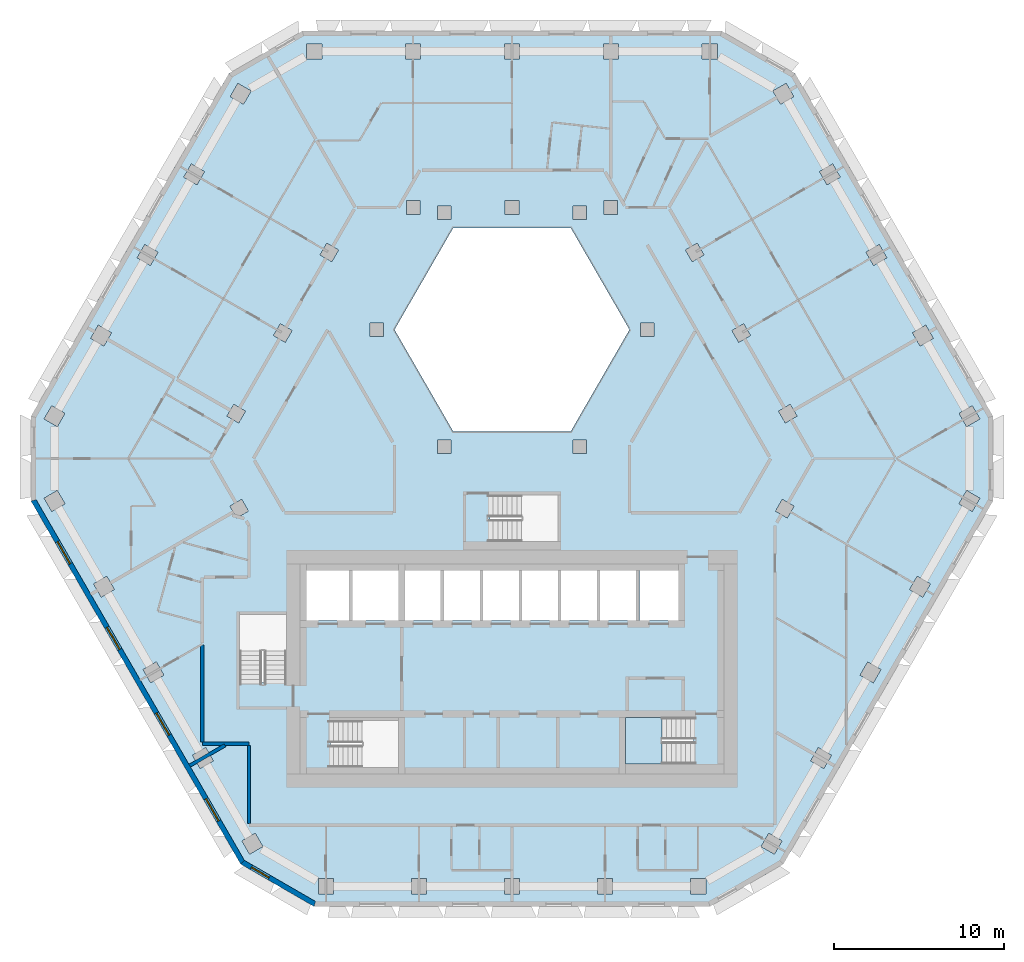
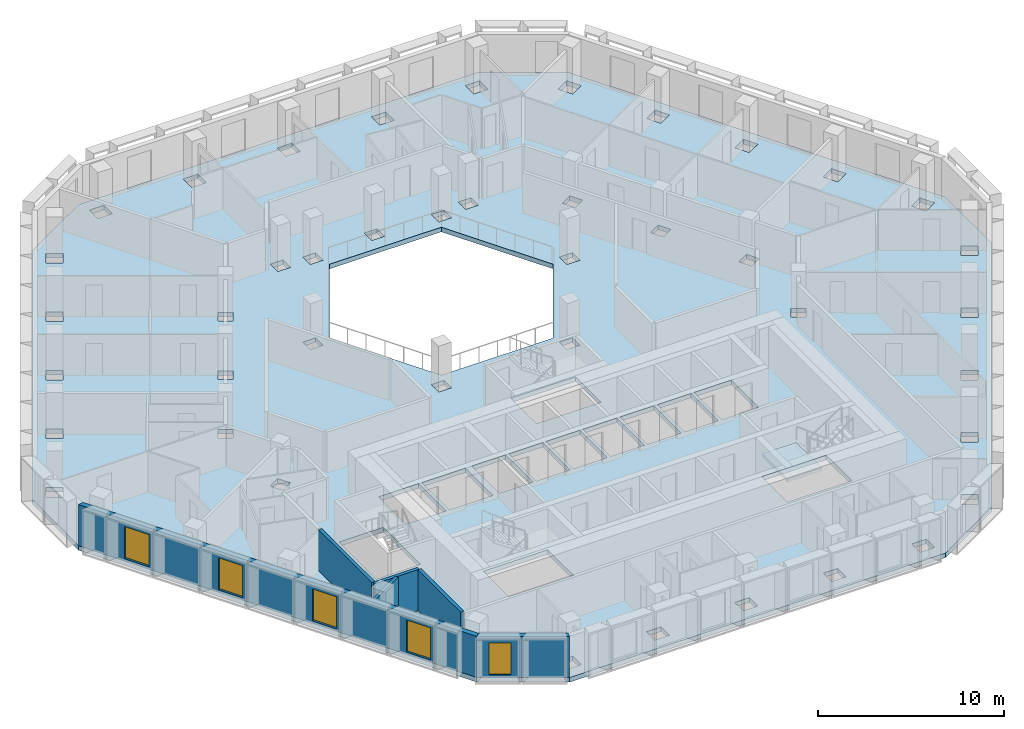
# One storey, part 2 of 15: 6 walls, 5 windows, 2 slabs, 5 openings, 1 element without a shape of its own.
"""IFC4 building model written with IfcOpenShell, lengths in metres."""

from ifc_helpers import new_model, si_unit, direction, frame, frame_2d, origin, place, context, subcontext, project, spatial, polyline, rectangle, outline, extrude, material, layer, layer_set, type_object, element, fill, aggregate, save


model = new_model("IFC4")

# Units and contexts
model_context = context("Model", 3, precision=1e-05, world=origin(), true_north=direction((0.0, 1.0)))
body_context = subcontext(model_context, "Body", "Model", "MODEL_VIEW")
ifc_project = project(units=[si_unit("LENGTHUNIT", "METRE"), si_unit("AREAUNIT", "SQUARE_METRE"), si_unit("VOLUMEUNIT", "CUBIC_METRE"), si_unit("PLANEANGLEUNIT", "RADIAN"), si_unit("MASSUNIT", "GRAM", prefix="KILO")], contexts=[model_context])

# Site, building, storey
site_placement = place(None, origin())
site = spatial("IfcSite", under=ifc_project, at=site_placement, CompositionType="ELEMENT")
building_placement = place(site_placement, origin())
building = spatial("IfcBuilding", under=site, at=building_placement, Name="Beryl Residences", CompositionType="ELEMENT")
storey_placement = place(building_placement, frame((0.0, 0.0, 129.60009765625)))
storey = spatial("IfcBuildingStorey", under=building, at=storey_placement, Name="L39", CompositionType="ELEMENT", Elevation=129.60009765625)

# Slab
ifc_material_1 = material(Name="Concrete C40/50", Category="concrete")
ifc_layer_1 = layer(ifc_material_1, 0.300048828125)
ifc_layer_set_1 = layer_set([ifc_layer_1], Name="SL7 PT floor slab 300 mm C40/50")
slab_type_1 = type_object("IfcSlabType", Name="SL7 PT floor slab 300 mm C40/50", PredefinedType="FLOOR", material=ifc_layer_set_1)
slab_1_placement = place(storey_placement, frame((0.0, 0.0, -0.300048828125)))
element("IfcSlab", 1, at=slab_1_placement, inside=storey, type_object=slab_type_1, Name="L39 slab 1", PredefinedType="FLOOR", context=body_context, shape_type="SweptSolid", body=[
    extrude(outline(polyline([(28.347900390625, -2.10009765625), (15.991943359375, -23.5), (11.662109375, -26.0), (-11.662109375, -26.0), (-15.991943359375, -23.5), (-28.347900390625, -2.10009765625), (-28.347900390625, 2.89990234375), (-16.68505859375, 23.10009765625), (-12.35498046875, 25.60009765625), (12.35498046875, 25.60009765625), (16.68505859375, 23.10009765625), (28.347900390625, 2.89990234375), (28.347900390625, -2.10009765625)]), holes=[polyline([(27.1279296875, 3.514892578125), (26.347900390625, 3.06494140625), (26.798095703125, 2.284912109375), (27.577880859375, 2.735107421875), (27.1279296875, 3.514892578125)]), polyline([(26.7958984375, -1.486083984375), (26.345947265625, -2.26611328125), (27.1259765625, -2.716064453125), (27.575927734375, -1.93603515625), (26.7958984375, -1.486083984375)]), polyline([(23.60498046875, 7.81494140625), (24.054931640625, 7.034912109375), (24.8349609375, 7.485107421875), (24.385009765625, 8.264892578125), (23.60498046875, 7.81494140625)]), polyline([(24.660888671875, -6.986083984375), (23.881103515625, -6.535888671875), (23.430908203125, -7.31591796875), (24.2109375, -7.76611328125), (24.660888671875, -6.986083984375)]), polyline([(21.64306640625, 13.014892578125), (20.863037109375, 12.56494140625), (21.31298828125, 11.784912109375), (22.093017578125, 12.235107421875), (21.64306640625, 13.014892578125)]), polyline([(20.965087890625, -11.5859375), (20.514892578125, -12.365966796875), (21.294921875, -12.81591796875), (21.7451171875, -12.035888671875), (20.965087890625, -11.5859375)]), polyline([(18.1201171875, 17.31494140625), (18.570068359375, 16.534912109375), (19.35009765625, 16.985107421875), (18.89990234375, 17.764892578125), (18.1201171875, 17.31494140625)]), polyline([(18.830078125, -17.0859375), (18.050048828125, -16.635986328125), (17.60009765625, -17.416015625), (18.3798828125, -17.865966796875), (18.830078125, -17.0859375)]), polyline([(16.39892578125, 3.595947265625), (15.70703125, 3.196044921875), (16.10693359375, 2.50390625), (16.799072265625, 2.904052734375), (16.39892578125, 3.595947265625)]), polyline([(16.6240234375, -2.405029296875), (15.931884765625, -2.0048828125), (15.531982421875, -2.697021484375), (16.22412109375, -3.096923828125), (16.6240234375, -2.405029296875)]), polyline([(16.157958984375, 22.514892578125), (15.3779296875, 22.06494140625), (15.827880859375, 21.284912109375), (16.60791015625, 21.735107421875), (16.157958984375, 22.514892578125)]), polyline([(15.9140625, -22.135009765625), (15.134033203125, -21.68505859375), (14.68408203125, -22.465087890625), (15.464111328125, -22.9150390625), (15.9140625, -22.135009765625)]), polyline([(13.656005859375, 8.345947265625), (12.964111328125, 7.946044921875), (13.364013671875, 7.25390625), (14.055908203125, 7.654052734375), (13.656005859375, 8.345947265625)]), polyline([(11.2119140625, 24.85009765625), (11.2119140625, 23.949951171875), (12.112060546875, 23.949951171875), (12.112060546875, 24.85009765625), (11.2119140625, 24.85009765625)]), polyline([(11.4208984375, -24.35009765625), (10.52099609375, -24.35009765625), (10.52099609375, -25.25), (11.4208984375, -25.25), (11.4208984375, -24.35009765625)]), polyline([(10.221923828125, 12.696044921875), (10.6220703125, 12.00390625), (11.31396484375, 12.404052734375), (10.9140625, 13.095947265625), (10.221923828125, 12.696044921875)]), polyline([(6.699951171875, -14.85009765625), (6.699951171875, -17.60009765625), (10.699951171875, -17.60009765625), (10.699951171875, -14.85009765625), (6.699951171875, -14.85009765625)]), polyline([(7.5, -9.14990234375), (9.800048828125, -9.14990234375), (9.800048828125, -6.199951171875), (7.5, -6.199951171875), (7.5, -9.14990234375)]), polyline([(8.366943359375, 7.60009765625), (8.366943359375, 8.39990234375), (7.56689453125, 8.39990234375), (7.56689453125, 7.60009765625), (8.366943359375, 7.60009765625)]), polyline([(7.300048828125, -9.14990234375), (7.300048828125, -6.199951171875), (5.199951171875, -6.199951171875), (5.199951171875, -9.14990234375), (7.300048828125, -9.14990234375)]), polyline([(3.464111328125, 14.0), (-3.464111328125, 14.0), (-6.92822265625, 8.0), (-3.464111328125, 2.0), (3.464111328125, 2.0), (6.92822265625, 8.0), (3.464111328125, 14.0)]), polyline([(5.381103515625, 24.85009765625), (5.381103515625, 23.949951171875), (6.281005859375, 23.949951171875), (6.281005859375, 24.85009765625), (5.381103515625, 24.85009765625)]), polyline([(5.430908203125, 15.60009765625), (5.430908203125, 14.800048828125), (6.23095703125, 14.800048828125), (6.23095703125, 15.60009765625), (5.430908203125, 15.60009765625)]), polyline([(5.93603515625, -25.25), (5.93603515625, -24.35009765625), (5.035888671875, -24.35009765625), (5.035888671875, -25.25), (5.93603515625, -25.25)]), polyline([(2.89990234375, -9.14990234375), (5.0, -9.14990234375), (5.0, -6.199951171875), (2.89990234375, -6.199951171875), (2.89990234375, -9.14990234375)]), polyline([(4.384033203125, 14.5), (4.384033203125, 15.300048828125), (3.583984375, 15.300048828125), (3.583984375, 14.5), (4.384033203125, 14.5)]), polyline([(3.583984375, 1.5), (3.583984375, 0.699951171875), (4.384033203125, 0.699951171875), (4.384033203125, 1.5), (3.583984375, 1.5)]), polyline([(2.699951171875, -4.5), (2.699951171875, -1.75), (-1.300048828125, -1.75), (-1.300048828125, -4.5), (2.699951171875, -4.5)]), polyline([(0.60009765625, -9.14990234375), (2.699951171875, -9.14990234375), (2.699951171875, -6.199951171875), (0.60009765625, -6.199951171875), (0.60009765625, -9.14990234375)]), polyline([(0.450927734375, -24.35009765625), (-0.448974609375, -24.35009765625), (-0.448974609375, -25.25), (0.450927734375, -25.25), (0.450927734375, -24.35009765625)]), polyline([(-0.449951171875, 24.85009765625), (-0.449951171875, 23.949951171875), (0.449951171875, 23.949951171875), (0.449951171875, 24.85009765625), (-0.449951171875, 24.85009765625)]), polyline([(0.39990234375, -6.199951171875), (-1.699951171875, -6.199951171875), (-1.699951171875, -9.14990234375), (0.39990234375, -9.14990234375), (0.39990234375, -6.199951171875)]), polyline([(-0.39990234375, 15.60009765625), (-0.39990234375, 14.800048828125), (0.39990234375, 14.800048828125), (0.39990234375, 15.60009765625), (-0.39990234375, 15.60009765625)]), polyline([(-4.0, -9.14990234375), (-1.89990234375, -9.14990234375), (-1.89990234375, -6.199951171875), (-4.0, -6.199951171875), (-4.0, -9.14990234375)]), polyline([(-3.583984375, 14.5), (-3.583984375, 15.300048828125), (-4.384033203125, 15.300048828125), (-4.384033203125, 14.5), (-3.583984375, 14.5)]), polyline([(-3.583984375, 0.699951171875), (-3.583984375, 1.5), (-4.384033203125, 1.5), (-4.384033203125, 0.699951171875), (-3.583984375, 0.699951171875)]), polyline([(-6.300048828125, -9.14990234375), (-4.199951171875, -9.14990234375), (-4.199951171875, -6.199951171875), (-6.300048828125, -6.199951171875), (-6.300048828125, -9.14990234375)]), polyline([(-5.033935546875, -25.25), (-5.033935546875, -24.35009765625), (-5.93408203125, -24.35009765625), (-5.93408203125, -25.25), (-5.033935546875, -25.25)]), polyline([(-6.281005859375, 23.949951171875), (-5.381103515625, 23.949951171875), (-5.381103515625, 24.85009765625), (-6.281005859375, 24.85009765625), (-6.281005859375, 23.949951171875)]), polyline([(-6.23095703125, 14.800048828125), (-5.430908203125, 14.800048828125), (-5.430908203125, 15.60009765625), (-6.23095703125, 15.60009765625), (-6.23095703125, 14.800048828125)]), polyline([(-6.699951171875, -6.199951171875), (-9.39990234375, -6.199951171875), (-9.39990234375, -9.14990234375), (-6.699951171875, -9.14990234375), (-6.699951171875, -6.199951171875)]), polyline([(-10.699951171875, -15.050048828125), (-10.699951171875, -17.800048828125), (-6.699951171875, -17.800048828125), (-6.699951171875, -15.050048828125), (-10.699951171875, -15.050048828125)]), polyline([(-7.56689453125, 7.60009765625), (-7.56689453125, 8.39990234375), (-8.366943359375, 8.39990234375), (-8.366943359375, 7.60009765625), (-7.56689453125, 7.60009765625)]), polyline([(-12.10009765625, -9.14990234375), (-9.60009765625, -9.14990234375), (-9.60009765625, -6.199951171875), (-12.10009765625, -6.199951171875), (-12.10009765625, -9.14990234375)]), polyline([(-11.31396484375, 12.404052734375), (-10.6220703125, 12.00390625), (-10.221923828125, 12.696044921875), (-10.9140625, 13.095947265625), (-11.31396484375, 12.404052734375)]), polyline([(-11.4189453125, -24.35009765625), (-11.4189453125, -25.25), (-10.51904296875, -25.25), (-10.51904296875, -24.35009765625), (-11.4189453125, -24.35009765625)]), polyline([(-12.112060546875, 24.85009765625), (-12.112060546875, 23.949951171875), (-11.2119140625, 23.949951171875), (-11.2119140625, 24.85009765625), (-12.112060546875, 24.85009765625)]), polyline([(-14.055908203125, 7.654052734375), (-13.364013671875, 7.25390625), (-12.964111328125, 7.946044921875), (-13.656005859375, 8.345947265625), (-14.055908203125, 7.654052734375)]), polyline([(-13.300048828125, -8.800048828125), (-16.050048828125, -8.800048828125), (-16.050048828125, -12.800048828125), (-13.300048828125, -12.800048828125), (-13.300048828125, -8.800048828125)]), polyline([(-14.68505859375, -22.464111328125), (-15.135009765625, -21.68408203125), (-15.9150390625, -22.134033203125), (-15.465087890625, -22.9140625), (-14.68505859375, -22.464111328125)]), polyline([(-15.827880859375, 21.284912109375), (-15.3779296875, 22.06494140625), (-16.157958984375, 22.514892578125), (-16.60791015625, 21.735107421875), (-15.827880859375, 21.284912109375)]), polyline([(-15.532958984375, -2.695068359375), (-15.93310546875, -2.0029296875), (-16.625, -2.403076171875), (-16.22509765625, -3.094970703125), (-15.532958984375, -2.695068359375)]), polyline([(-16.10693359375, 2.50390625), (-15.70703125, 3.196044921875), (-16.39892578125, 3.595947265625), (-16.799072265625, 2.904052734375), (-16.10693359375, 2.50390625)]), polyline([(-17.60107421875, -17.4140625), (-18.051025390625, -16.634033203125), (-18.8310546875, -17.083984375), (-18.381103515625, -17.864013671875), (-17.60107421875, -17.4140625)]), polyline([(-19.35009765625, 16.985107421875), (-18.570068359375, 16.534912109375), (-18.1201171875, 17.31494140625), (-18.89990234375, 17.764892578125), (-19.35009765625, 16.985107421875)]), polyline([(-21.2958984375, -12.81396484375), (-20.51611328125, -12.364013671875), (-20.966064453125, -11.583984375), (-21.74609375, -12.033935546875), (-21.2958984375, -12.81396484375)]), polyline([(-20.863037109375, 12.56494140625), (-21.64306640625, 13.014892578125), (-22.093017578125, 12.235107421875), (-21.31298828125, 11.784912109375), (-20.863037109375, 12.56494140625)]), polyline([(-24.2119140625, -7.763916015625), (-23.431884765625, -7.31396484375), (-23.882080078125, -6.533935546875), (-24.662109375, -6.98388671875), (-24.2119140625, -7.763916015625)]), polyline([(-24.8349609375, 7.485107421875), (-24.054931640625, 7.034912109375), (-23.60498046875, 7.81494140625), (-24.385009765625, 8.264892578125), (-24.8349609375, 7.485107421875)]), polyline([(-27.126953125, -2.715087890625), (-26.346923828125, -2.264892578125), (-26.797119140625, -1.485107421875), (-27.576904296875, -1.93505859375), (-27.126953125, -2.715087890625)]), polyline([(-27.577880859375, 2.735107421875), (-26.798095703125, 2.284912109375), (-26.347900390625, 3.06494140625), (-27.1279296875, 3.514892578125), (-27.577880859375, 2.735107421875)])]), origin(), (0.0, 0.0, 1.0), 0.300048828125),
])

# Stair, slab
ifc_material_2 = material(Name="Concrete C40/50", Category="concrete")
stair_type = type_object("IfcStairType", Name="ST1 protected exit stair, half-turn, 1300 mm flights", PredefinedType="HALF_TURN_STAIR", material=ifc_material_2)
stair_placement = place(storey_placement, origin())
stair = element("IfcStair", 2, at=stair_placement, inside=storey, type_object=stair_type, Name="L39 PROTECTED EXIT STAIR ST-3", PredefinedType="HALF_TURN_STAIR")
ifc_material_3 = material(Name="Concrete C40/50", Category="concrete")
ifc_layer_2 = layer(ifc_material_3, 0.199951171875)
ifc_layer_set_2 = layer_set([ifc_layer_2], Name="SLD1 stair landing 200 mm")
slab_type_2 = type_object("IfcSlabType", Name="SLD1 stair landing 200 mm", PredefinedType="LANDING", material=ifc_layer_set_2)
slab_2_placement = place(storey_placement, frame((0.0, 0.0, 1.2998046875)))
slab_2 = element("IfcSlab", 3, at=slab_2_placement, type_object=slab_type_2, Name="ST-3 landing 1", PredefinedType="LANDING", context=body_context, shape_type="SweptSolid", body=[
    extrude(outline(polyline([(8.840087890625, -14.85009765625), (6.699951171875, -14.85009765625), (6.699951171875, -17.60009765625), (8.840087890625, -17.60009765625), (8.840087890625, -14.85009765625)])), origin(), (0.0, 0.0, 1.0), 0.2001953125),
])
aggregate(stair, [slab_2])

# Wall, openings, windows
ifc_material_4 = material(Name="Composite metal panel with mineral wool insulation")
ifc_layer_3 = layer(ifc_material_4, 0.300048828125)
ifc_layer_set_3 = layer_set([ifc_layer_3], Name="ES1 pale metal composite panel wall 300 mm")
wall_type_1 = type_object("IfcWallType", Name="ES1 pale metal composite panel wall 300 mm", PredefinedType="SOLIDWALL", material=ifc_layer_set_3)
wall_1_placement = place(storey_placement, frame((-28.218017578125, -2.02490234375, 0.0), z_axis=(0.0, 0.0, 1.0), x_axis=(0.500017503135, -0.866015298109, 0.0)))
wall_1 = element("IfcWall", 4, at=wall_1_placement, inside=storey, type_object=wall_type_1, Name="ES1 external wall L39 SW", PredefinedType="SOLIDWALL", context=body_context, shape_type="SweptSolid", body=[
    extrude(outline(polyline([(0.0, -0.14990234375), (24.7109375, -0.14990234375), (24.630615234375, 0.14990234375), (0.080322265625, 0.14990234375), (0.0, -0.14990234375)])), origin(), (0.0, 0.0, 1.0), 2.699951171875),
])
opening_1_placement = place(wall_1_placement, frame((2.85693359375, 0.0, 0.14990234375)))
opening_1 = element("IfcOpeningElement", 5, at=opening_1_placement, cuts=wall_1, Name="Opening W1", PredefinedType="OPENING", context=body_context, shape_type="SweptSolid", body=[
    extrude(rectangle(XDim=1.5, YDim=2.10009765625, at=frame_2d((0.75, 1.050048828125))), frame((0.0, 0.159912109375, 0.0), z_axis=(0.0, -1.0, 0.0), x_axis=(1.0, 0.0, 0.0)), (0.0, 0.0, 1.0), 0.320068359375),
])
opening_2_placement = place(wall_1_placement, frame((8.68896484375, 0.0, 0.14990234375)))
opening_2 = element("IfcOpeningElement", 6, at=opening_2_placement, cuts=wall_1, Name="Opening W1", PredefinedType="OPENING", context=body_context, shape_type="SweptSolid", body=[
    extrude(rectangle(XDim=1.5, YDim=2.10009765625, at=frame_2d((0.75, 1.050048828125))), frame((0.0, 0.159912109375, 0.0), z_axis=(0.0, -1.0, 0.0), x_axis=(1.0, 0.0, 0.0)), (0.0, 0.0, 1.0), 0.320068359375),
])
opening_3_placement = place(wall_1_placement, frame((14.52001953125, 0.0, 0.14990234375)))
opening_3 = element("IfcOpeningElement", 7, at=opening_3_placement, cuts=wall_1, Name="Opening W1", PredefinedType="OPENING", context=body_context, shape_type="SweptSolid", body=[
    extrude(rectangle(XDim=1.5, YDim=2.10009765625, at=frame_2d((0.75, 1.050048828125))), frame((0.0, 0.159912109375, 0.0), z_axis=(0.0, -1.0, 0.0), x_axis=(1.0, 0.0, 0.0)), (0.0, 0.0, 1.0), 0.320068359375),
])
opening_4_placement = place(wall_1_placement, frame((20.35107421875, 0.0, 0.14990234375)))
opening_4 = element("IfcOpeningElement", 8, at=opening_4_placement, cuts=wall_1, Name="Opening W1", PredefinedType="OPENING", context=body_context, shape_type="SweptSolid", body=[
    extrude(rectangle(XDim=1.5, YDim=2.10009765625, at=frame_2d((0.75, 1.050048828125))), frame((0.0, 0.159912109375, 0.0), z_axis=(0.0, -1.0, 0.0), x_axis=(1.0, 0.0, 0.0)), (0.0, 0.0, 1.0), 0.320068359375),
])
ifc_material_5 = material(Name="Aluminium and clear glass", Category="aluminium")
window_type_1 = type_object("IfcWindowType", Name="W1 cell window 1500 x 2100 mm", PartitioningType="SINGLE_PANEL", PredefinedType="WINDOW", material=ifc_material_5)
window_1_placement = place(opening_1_placement, origin())
window_1 = element("IfcWindow", 9, at=window_1_placement, inside=storey, type_object=window_type_1, Name="W1 window L39 SW 2", OverallHeight=2.10009765625, OverallWidth=1.5, PartitioningType="SINGLE_PANEL", PredefinedType="WINDOW", context=body_context, shape_type="SweptSolid", body=[
    extrude(rectangle(XDim=1.5, YDim=2.10009765625, at=frame_2d((0.75, 1.050048828125))), frame((0.0, 0.030029296875, 0.0), z_axis=(0.0, -1.0, 0.0), x_axis=(1.0, 0.0, 0.0)), (0.0, 0.0, 1.0), 0.06005859375),
])
fill(opening_1, window_1)
window_2_placement = place(opening_2_placement, origin())
window_2 = element("IfcWindow", 10, at=window_2_placement, inside=storey, type_object=window_type_1, Name="W1 window L39 SW 4", OverallHeight=2.10009765625, OverallWidth=1.5, PartitioningType="SINGLE_PANEL", PredefinedType="WINDOW", context=body_context, shape_type="SweptSolid", body=[
    extrude(rectangle(XDim=1.5, YDim=2.10009765625, at=frame_2d((0.75, 1.050048828125))), frame((0.0, 0.030029296875, 0.0), z_axis=(0.0, -1.0, 0.0), x_axis=(1.0, 0.0, 0.0)), (0.0, 0.0, 1.0), 0.06005859375),
])
fill(opening_2, window_2)
window_3_placement = place(opening_3_placement, origin())
window_3 = element("IfcWindow", 11, at=window_3_placement, inside=storey, type_object=window_type_1, Name="W1 window L39 SW 6", OverallHeight=2.10009765625, OverallWidth=1.5, PartitioningType="SINGLE_PANEL", PredefinedType="WINDOW", context=body_context, shape_type="SweptSolid", body=[
    extrude(rectangle(XDim=1.5, YDim=2.10009765625, at=frame_2d((0.75, 1.050048828125))), frame((0.0, 0.030029296875, 0.0), z_axis=(0.0, -1.0, 0.0), x_axis=(1.0, 0.0, 0.0)), (0.0, 0.0, 1.0), 0.06005859375),
])
fill(opening_3, window_3)
window_4_placement = place(opening_4_placement, origin())
window_4 = element("IfcWindow", 12, at=window_4_placement, inside=storey, type_object=window_type_1, Name="W1 window L39 SW 8", OverallHeight=2.10009765625, OverallWidth=1.5, PartitioningType="SINGLE_PANEL", PredefinedType="WINDOW", context=body_context, shape_type="SweptSolid", body=[
    extrude(rectangle(XDim=1.5, YDim=2.10009765625, at=frame_2d((0.75, 1.050048828125))), frame((0.0, 0.030029296875, 0.0), z_axis=(0.0, -1.0, 0.0), x_axis=(1.0, 0.0, 0.0)), (0.0, 0.0, 1.0), 0.06005859375),
])
fill(opening_4, window_4)

# Wall, opening, window
wall_2_placement = place(storey_placement, frame((-15.9169921875, -23.3701171875, 0.0), z_axis=(0.0, 0.0, 1.0), x_axis=(0.866022959057, -0.500004234368, 0.0)))
wall_2 = element("IfcWall", 13, at=wall_2_placement, inside=storey, type_object=wall_type_1, Name="ES1 external wall L39 SW-S", PredefinedType="SOLIDWALL", context=body_context, shape_type="SweptSolid", body=[
    extrude(outline(polyline([(0.0, -0.14990234375), (5.0, -0.14990234375), (4.919677734375, 0.14990234375), (0.080322265625, 0.14990234375), (0.0, -0.14990234375)])), origin(), (0.0, 0.0, 1.0), 2.699951171875),
])
opening_5_placement = place(wall_2_placement, frame((0.64990234375, 0.0, 0.14990234375)))
opening_5 = element("IfcOpeningElement", 14, at=opening_5_placement, cuts=wall_2, Name="Opening W2", PredefinedType="OPENING", context=body_context, shape_type="SweptSolid", body=[
    extrude(rectangle(XDim=1.199951171875, YDim=2.10009765625, at=frame_2d((0.60009765625, 1.050048828125))), frame((0.0, 0.159912109375, 0.0), z_axis=(0.0, -1.0, 0.0), x_axis=(1.0, 0.0, 0.0)), (0.0, 0.0, 1.0), 0.320068359375),
])
ifc_material_6 = material(Name="Aluminium and clear glass", Category="aluminium")
window_type_2 = type_object("IfcWindowType", Name="W2 chamfer window 1200 x 2100 mm", PartitioningType="SINGLE_PANEL", PredefinedType="WINDOW", material=ifc_material_6)
window_5_placement = place(opening_5_placement, origin())
window_5 = element("IfcWindow", 15, at=window_5_placement, inside=storey, type_object=window_type_2, Name="W2 window L39 SW-S 1", OverallHeight=2.10009765625, OverallWidth=1.199951171875, PartitioningType="SINGLE_PANEL", PredefinedType="WINDOW", context=body_context, shape_type="SweptSolid", body=[
    extrude(rectangle(XDim=1.199951171875, YDim=2.10009765625, at=frame_2d((0.60009765625, 1.050048828125))), frame((0.0, 0.030029296875, 0.0), z_axis=(0.0, -1.0, 0.0), x_axis=(1.0, 0.0, 0.0)), (0.0, 0.0, 1.0), 0.06005859375),
])
fill(opening_5, window_5)

# Walls
ifc_material_7 = material(Name="Acoustic double stud gypsum board wall")
ifc_layer_4 = layer(ifc_material_7, 0.199951171875)
ifc_layer_set_4 = layer_set([ifc_layer_4], Name="PT3 party wall 200 mm acoustic double stud")
wall_type_2 = type_object("IfcWallType", Name="PT3 party wall 200 mm acoustic double stud", PredefinedType="PARTITIONING", material=ifc_layer_set_4)
wall_3_placement = place(storey_placement, frame((-18.9951171875, -17.698974609375, 0.0), z_axis=(0.0, 0.0, 1.0), x_axis=(0.86607371389, 0.499916315105, 0.0)))
element("IfcWall", 16, at=wall_3_placement, inside=storey, type_object=wall_type_2, Name="Wall PT3 L39 012", PredefinedType="PARTITIONING", context=body_context, shape_type="SweptSolid", body=[
    extrude(rectangle(XDim=2.3984375, YDim=0.199951171875, at=frame_2d((1.19921875, 0.0))), origin(), (0.0, 0.0, 1.0), 2.699951171875),
])
ifc_material_8 = material(Name="Double stud gypsum board wall")
ifc_layer_5 = layer(ifc_material_8, 0.199951171875)
ifc_layer_set_5 = layer_set([ifc_layer_5], Name="PT4 corridor wall 200 mm double stud")
wall_type_3 = type_object("IfcWallType", Name="PT4 corridor wall 200 mm double stud", PredefinedType="PARTITIONING", material=ifc_layer_set_5)
wall_4_placement = place(storey_placement, frame((-15.5, -16.5, 0.0), z_axis=(0.0, 0.0, 1.0), x_axis=(0.0, -1.0, 0.0)))
element("IfcWall", 17, at=wall_4_placement, inside=storey, type_object=wall_type_3, Name="Wall PT4 L39 008", PredefinedType="PARTITIONING", context=body_context, shape_type="SweptSolid", body=[
    extrude(rectangle(XDim=4.59912109375, YDim=0.199951171875, at=frame_2d((2.299560546875, 0.0))), origin(), (0.0, 0.0, 1.0), 2.699951171875),
])
wall_5_placement = place(storey_placement, frame((-18.25, -10.593017578125, 0.0), z_axis=(0.0, 0.0, 1.0), x_axis=(0.0, -1.0, 0.0)))
element("IfcWall", 18, at=wall_5_placement, inside=storey, type_object=wall_type_3, Name="Wall PT4 L39 009", PredefinedType="PARTITIONING", context=body_context, shape_type="SweptSolid", body=[
    extrude(rectangle(XDim=5.7060546875, YDim=0.199951171875, at=frame_2d((2.85302734375, 0.0))), origin(), (0.0, 0.0, 1.0), 2.699951171875),
])
wall_6_placement = place(storey_placement, frame((-18.2490234375, -16.39990234375, 0.0), z_axis=(0.0, 0.0, 1.0), x_axis=(1.0, 0.0, 0.0)))
element("IfcWall", 19, at=wall_6_placement, inside=storey, type_object=wall_type_3, Name="Wall PT4 L39 011", PredefinedType="PARTITIONING", context=body_context, shape_type="SweptSolid", body=[
    extrude(rectangle(XDim=2.7490234375, YDim=0.199951171875, at=frame_2d((1.37451171875, 0.0))), origin(), (0.0, 0.0, 1.0), 2.699951171875),
])

save(model, "model.ifc")
